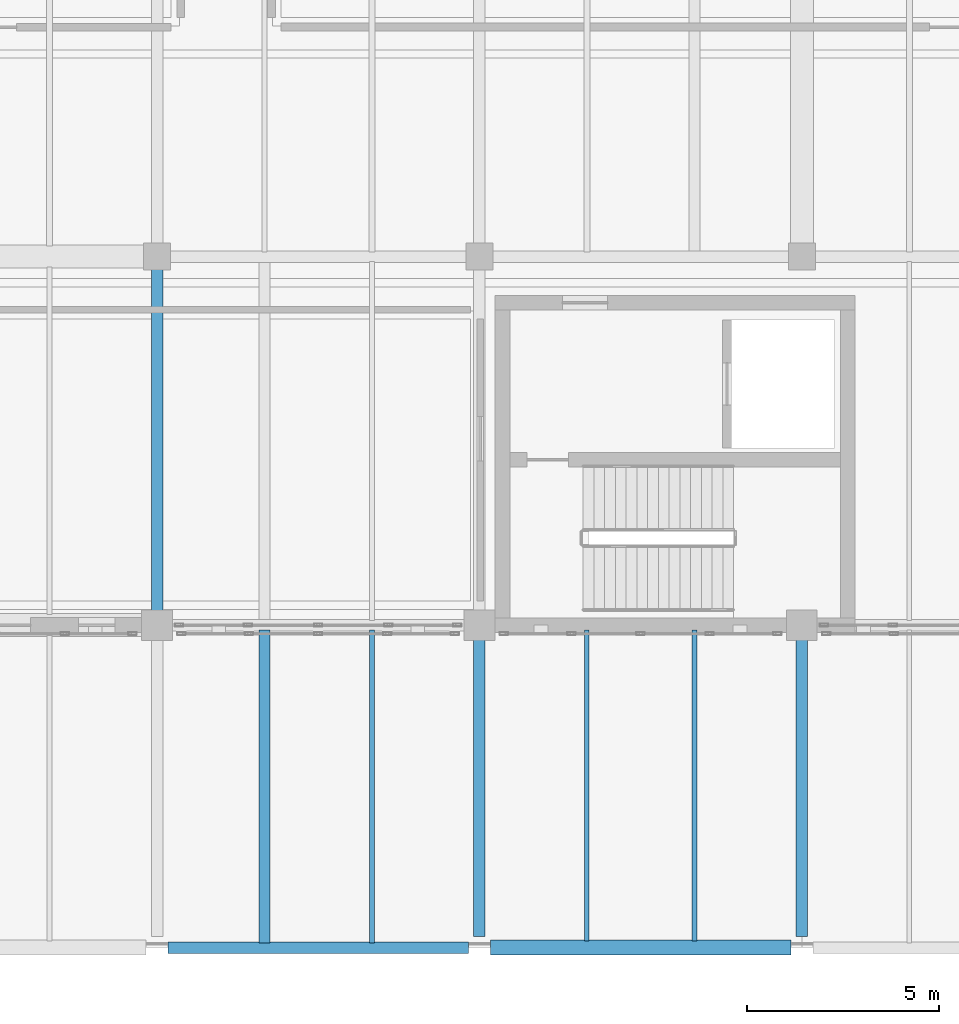
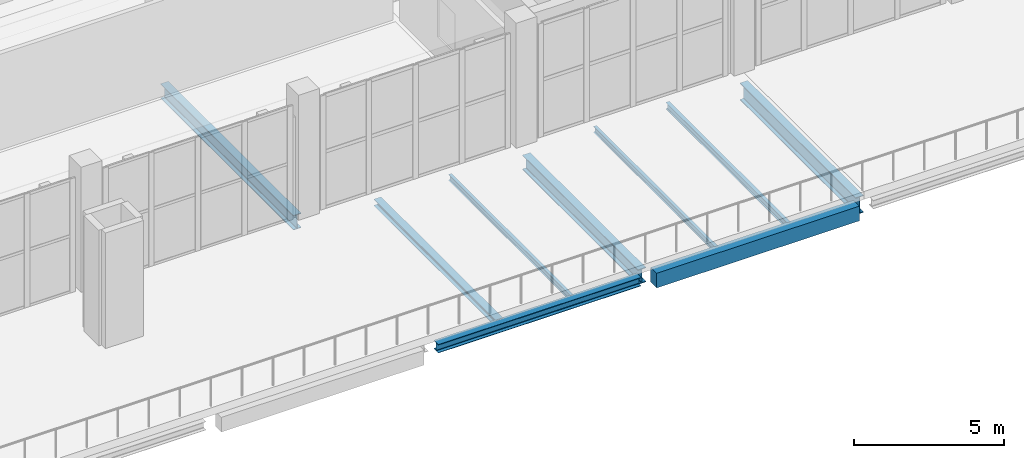
# One storey, part 11 of 77: 9 beams.
"""IFC4 building model written with IfcOpenShell, lengths in metres."""

from ifc_helpers import new_model, si_unit, direction, frame, origin, origin_2d, place, context, subcontext, project, spatial, rectangle, i_section, extrude, material, material_profile, profile_set, type_object, element, save


model = new_model("IFC4")

# Units and contexts
model_context = context("Model", 3, precision=1e-05, world=origin(), true_north=direction((0.0, 1.0)))
body_context = subcontext(model_context, "Body", "Model", "MODEL_VIEW")
ifc_project = project(units=[si_unit("LENGTHUNIT", "METRE"), si_unit("AREAUNIT", "SQUARE_METRE"), si_unit("VOLUMEUNIT", "CUBIC_METRE"), si_unit("PLANEANGLEUNIT", "RADIAN"), si_unit("MASSUNIT", "GRAM", prefix="KILO")], contexts=[model_context])

# Site, building, storey
site_placement = place(None, origin())
site = spatial("IfcSite", under=ifc_project, at=site_placement, CompositionType="ELEMENT")
building_placement = place(site_placement, origin())
building = spatial("IfcBuilding", under=site, at=building_placement, Name="Zulmaris Art Gallery", CompositionType="ELEMENT")
storey_placement = place(building_placement, frame((0.0, 0.0, 15.60009765625)))
storey = spatial("IfcBuildingStorey", under=building, at=storey_placement, Name="L03", CompositionType="ELEMENT", Elevation=15.60009765625)

# Beams
ifc_material_1 = material(Name="Steel S355J2", Category="steel")
ifc_material_profile_1 = material_profile(ifc_material_1, i_section(OverallWidth=0.300048828125, OverallDepth=0.60009765625, WebThickness=0.015380859375, FlangeThickness=0.030029296875, FilletRadius=0.027099609375, at=origin_2d()), Name="HEB 600")
ifc_profile_set_1 = profile_set([ifc_material_profile_1], Name="Steel S355J2")
beam_type_1 = type_object("IfcBeamType", Name="BEAM-BM15", PredefinedType="BEAM", material=ifc_profile_set_1)
beam_1_placement = place(storey_placement, frame((57.60009765625, 21.985107421875, -0.670166015625), z_axis=(0.0, 1.0, 0.0), x_axis=(-1.0, 0.0, 0.0)))
element("IfcBeam", 1, at=beam_1_placement, inside=storey, type_object=beam_type_1, Name="L03 Y-girder (x=57.6, 21.6..31.2)", PredefinedType="BEAM", context=body_context, shape_type="SweptSolid", body=[
    extrude(i_section(OverallWidth=0.300048828125, OverallDepth=0.60009765625, WebThickness=0.015380859375, FlangeThickness=0.030029296875, FilletRadius=0.027099609375, at=origin_2d()), origin(), (0.0, 0.0, 1.0), 8.8798828125),
])
beam_2_placement = place(storey_placement, frame((66.0, 13.485107421875, -0.670166015625), z_axis=(0.0, 1.0, 0.0), x_axis=(-1.0, 0.0, 0.0)))
element("IfcBeam", 2, at=beam_2_placement, inside=storey, type_object=beam_type_1, Name="L03 Y-girder (x=66.0, 13.2..21.6)", PredefinedType="BEAM", context=body_context, shape_type="SweptSolid", body=[
    extrude(i_section(OverallWidth=0.300048828125, OverallDepth=0.60009765625, WebThickness=0.015380859375, FlangeThickness=0.030029296875, FilletRadius=0.027099609375, at=origin_2d()), origin(), (0.0, 0.0, 1.0), 7.72998046875),
])
ifc_material_profile_2 = material_profile(ifc_material_1, i_section(OverallWidth=0.300048828125, OverallDepth=0.699951171875, WebThickness=0.01708984375, FlangeThickness=0.031982421875, FilletRadius=0.027099609375, at=origin_2d()), Name="HEB 700")
ifc_profile_set_2 = profile_set([ifc_material_profile_2], Name="Steel S355J2")
beam_type_2 = type_object("IfcBeamType", Name="BEAM-BM16", PredefinedType="BEAM", material=ifc_profile_set_2)
beam_3_placement = place(storey_placement, frame((74.39990234375, 13.485107421875, -0.72021484375), z_axis=(0.0, 1.0, 0.0), x_axis=(-1.0, 0.0, 0.0)))
element("IfcBeam", 3, at=beam_3_placement, inside=storey, type_object=beam_type_2, Name="L03 Y-girder (x=74.4, 13.2..21.6)", PredefinedType="BEAM", context=body_context, shape_type="SweptSolid", body=[
    extrude(i_section(OverallWidth=0.300048828125, OverallDepth=0.699951171875, WebThickness=0.01708984375, FlangeThickness=0.031982421875, FilletRadius=0.027099609375, at=origin_2d()), origin(), (0.0, 0.0, 1.0), 7.72998046875),
])
ifc_material_profile_3 = material_profile(ifc_material_1, i_section(OverallWidth=0.1201171875, OverallDepth=0.239990234375, WebThickness=0.006103515625, FlangeThickness=0.009765625, FilletRadius=0.014892578125, at=origin_2d()), Name="IPE 240")
ifc_profile_set_3 = profile_set([ifc_material_profile_3], Name="Steel S355J2")
beam_type_3 = type_object("IfcBeamType", Name="BEAM-JS01", PredefinedType="JOIST", material=ifc_profile_set_3)
beam_4_placement = place(storey_placement, frame((63.199951171875, 13.324951171875, -0.489990234375), z_axis=(0.0, 1.0, 0.0), x_axis=(-1.0, 0.0, 0.0)))
element("IfcBeam", 4, at=beam_4_placement, inside=storey, type_object=beam_type_3, Name="L03 secondary joist at x=63.2", PredefinedType="JOIST", context=body_context, shape_type="SweptSolid", body=[
    extrude(i_section(OverallWidth=0.1201171875, OverallDepth=0.239990234375, WebThickness=0.006103515625, FlangeThickness=0.009765625, FilletRadius=0.014892578125, at=origin_2d()), origin(), (0.0, 0.0, 1.0), 8.150146484375),
])
beam_5_placement = place(storey_placement, frame((68.800048828125, 13.375, -0.489990234375), z_axis=(0.0, 1.0, 0.0), x_axis=(-1.0, 0.0, 0.0)))
element("IfcBeam", 5, at=beam_5_placement, inside=storey, type_object=beam_type_3, Name="L03 secondary joist at x=68.8", PredefinedType="JOIST", context=body_context, shape_type="SweptSolid", body=[
    extrude(i_section(OverallWidth=0.1201171875, OverallDepth=0.239990234375, WebThickness=0.006103515625, FlangeThickness=0.009765625, FilletRadius=0.014892578125, at=origin_2d()), origin(), (0.0, 0.0, 1.0), 8.10009765625),
])
ifc_material_profile_4 = material_profile(ifc_material_1, i_section(OverallWidth=0.135009765625, OverallDepth=0.27001953125, WebThickness=0.006591796875, FlangeThickness=0.01025390625, FilletRadius=0.014892578125, at=origin_2d()), Name="IPE 270")
ifc_profile_set_4 = profile_set([ifc_material_profile_4], Name="Steel S355J2")
beam_type_4 = type_object("IfcBeamType", Name="BEAM-JS02", PredefinedType="JOIST", material=ifc_profile_set_4)
beam_6_placement = place(storey_placement, frame((71.60009765625, 13.375, -0.505126953125), z_axis=(0.0, 1.0, 0.0), x_axis=(-1.0, 0.0, 0.0)))
element("IfcBeam", 6, at=beam_6_placement, inside=storey, type_object=beam_type_4, Name="L03 secondary joist at x=71.6", PredefinedType="JOIST", context=body_context, shape_type="SweptSolid", body=[
    extrude(i_section(OverallWidth=0.135009765625, OverallDepth=0.27001953125, WebThickness=0.006591796875, FlangeThickness=0.01025390625, FilletRadius=0.014892578125, at=origin_2d()), origin(), (0.0, 0.0, 1.0), 8.10009765625),
])
ifc_material_profile_5 = material_profile(ifc_material_1, i_section(OverallWidth=0.280029296875, OverallDepth=0.27001953125, WebThickness=0.008056640625, FlangeThickness=0.012939453125, FilletRadius=0.02392578125, at=origin_2d()), Name="HEA 280")
ifc_profile_set_5 = profile_set([ifc_material_profile_5], Name="Steel S355J2")
beam_type_5 = type_object("IfcBeamType", Name="BEAM-JS04", PredefinedType="JOIST", material=ifc_profile_set_5)
beam_7_placement = place(storey_placement, frame((60.39990234375, 13.324951171875, -0.505126953125), z_axis=(0.0, 1.0, 0.0), x_axis=(-1.0, 0.0, 0.0)))
element("IfcBeam", 7, at=beam_7_placement, inside=storey, type_object=beam_type_5, Name="L03 secondary joist at x=60.4", PredefinedType="JOIST", context=body_context, shape_type="SweptSolid", body=[
    extrude(i_section(OverallWidth=0.280029296875, OverallDepth=0.27001953125, WebThickness=0.008056640625, FlangeThickness=0.012939453125, FilletRadius=0.02392578125, at=origin_2d()), origin(), (0.0, 0.0, 1.0), 8.150146484375),
])
ifc_material_profile_6 = material_profile(ifc_material_1, i_section(OverallWidth=0.300048828125, OverallDepth=0.35009765625, WebThickness=0.010009765625, FlangeThickness=0.017578125, FilletRadius=0.027099609375, at=origin_2d()), Name="HEA 360")
ifc_profile_set_6 = profile_set([ifc_material_profile_6], Name="Steel S355J2")
beam_type_6 = type_object("IfcBeamType", Name="BEAM-SP01", PredefinedType="SPANDREL", material=ifc_profile_set_6)
beam_8_placement = place(storey_placement, frame((57.885009765625, 13.199951171875, -0.545166015625), z_axis=(1.0, 0.0, 0.0), x_axis=(0.0, 1.0, 0.0)))
element("IfcBeam", 8, at=beam_8_placement, inside=storey, type_object=beam_type_6, Name="L03 X-girder (57.6..66.0, y=13.2)", PredefinedType="SPANDREL", context=body_context, shape_type="SweptSolid", body=[
    extrude(i_section(OverallWidth=0.300048828125, OverallDepth=0.35009765625, WebThickness=0.010009765625, FlangeThickness=0.017578125, FilletRadius=0.027099609375, at=origin_2d()), origin(), (0.0, 0.0, 1.0), 7.830078125),
])
ifc_material_2 = material(Name="Concrete C40/50", Category="concrete")
ifc_material_profile_7 = material_profile(ifc_material_2, rectangle(XDim=0.39990234375, YDim=0.60009765625, at=origin_2d()), Name="RC 400x600")
ifc_profile_set_7 = profile_set([ifc_material_profile_7], Name="Concrete C40/50")
beam_type_7 = type_object("IfcBeamType", Name="BEAM-SP03", PredefinedType="SPANDREL", material=ifc_profile_set_7)
beam_9_placement = place(storey_placement, frame((66.284912109375, 13.199951171875, -0.670166015625), z_axis=(1.0, 0.0, 0.0), x_axis=(0.0, 1.0, 0.0)))
element("IfcBeam", 9, at=beam_9_placement, inside=storey, type_object=beam_type_7, Name="L03 X-girder (66.0..74.4, y=13.2)", PredefinedType="SPANDREL", context=body_context, shape_type="SweptSolid", body=[
    extrude(rectangle(XDim=0.39990234375, YDim=0.60009765625, at=origin_2d()), origin(), (0.0, 0.0, 1.0), 7.830078125),
])

save(model, "model.ifc")
